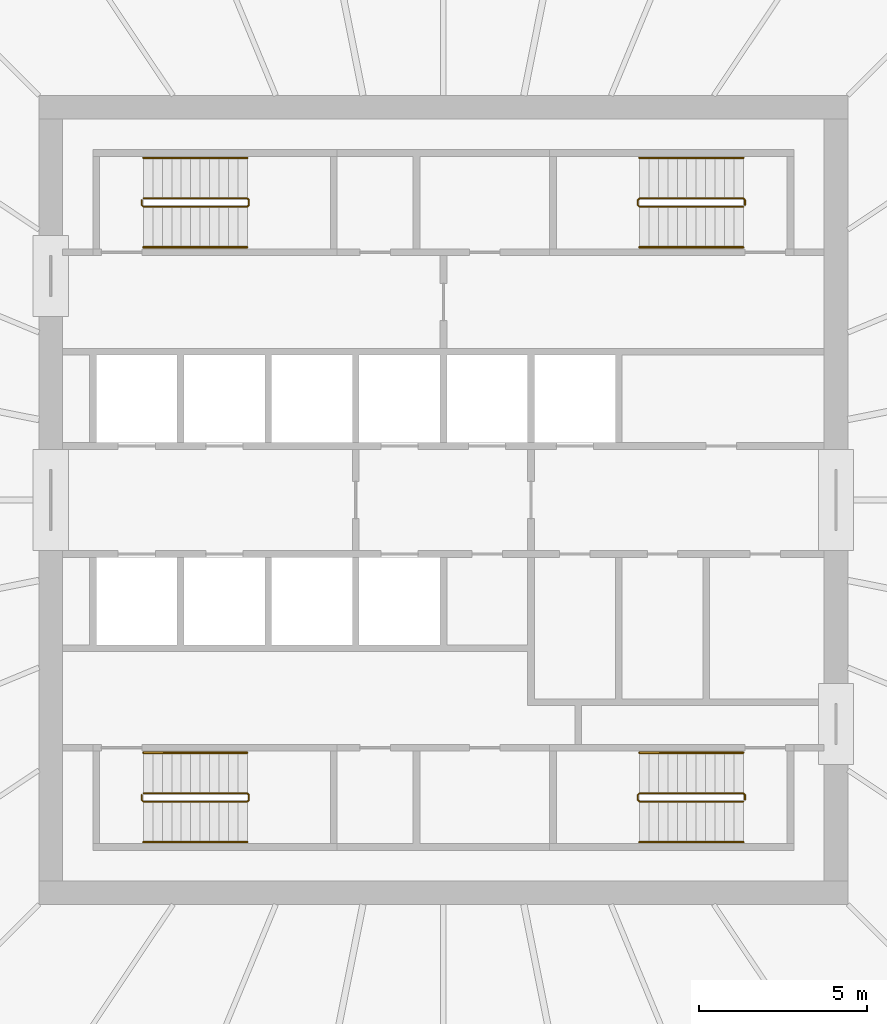
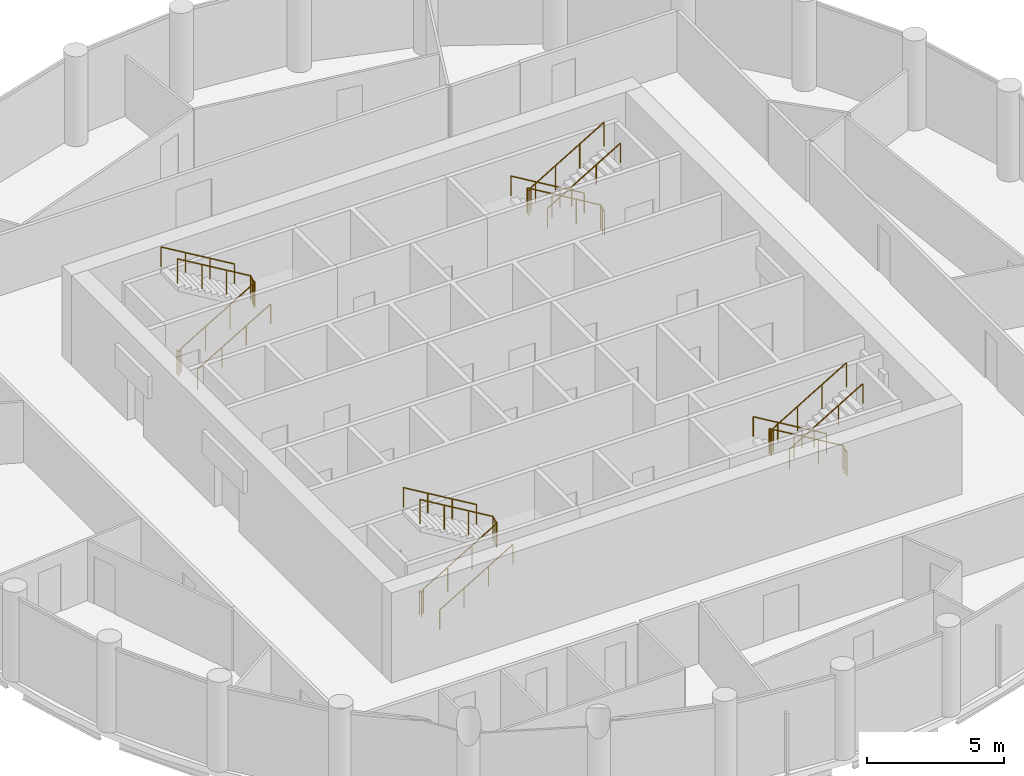
# One storey, part 8 of 8: 12 railings.
"""IFC4 building model written with IfcOpenShell, lengths in metres."""

import ifcopenshell
import ifcopenshell.guid

model = None  # the IFC model being written
_history = None  # IfcOwnerHistory: only IFC2X3 demands one
_inside = {}  # id of a spatial element -> (the spatial element, [elements in it])
_under = {}  # id of a project, library or spatial element -> (it, [spatial elements below it])
_declared = {}  # id of a project -> (the project, [libraries it declares])
_typed = {}  # id of a type object -> (the type object, [elements of that type])
_made_of = {}  # id of a material, layer set ... -> (it, [elements and type objects made of it])


def new_model(schema):
    """Start an empty IFC model of exactly this schema.

    Asked for "IFC4X3", IfcOpenShell would pick the latest addendum, in which some entities
    have other attributes; the version numbers below select the first issue.
    IFC2X3 requires an IfcOwnerHistory on every rooted entity: one is made here for all.
    """
    global model, _history
    if schema == "IFC4X3":
        model = ifcopenshell.file(schema_version=(4, 3, 0, 0))
    else:
        model = ifcopenshell.file(schema=schema)
    _inside.clear()
    _under.clear()
    _declared.clear()
    _typed.clear()
    _made_of.clear()
    _history = None
    if model.schema == "IFC2X3":
        org = make("IfcOrganization", Name="unknown")
        user = make(
            "IfcPersonAndOrganization",
            ThePerson=make("IfcPerson", FamilyName="unknown"),
            TheOrganization=org,
        )
        app = make(
            "IfcApplication",
            ApplicationDeveloper=org,
            Version="unknown",
            ApplicationFullName="unknown",
            ApplicationIdentifier="unknown",
        )
        _history = make(
            "IfcOwnerHistory",
            OwningUser=user,
            OwningApplication=app,
            ChangeAction="ADDED",
            CreationDate=0,
        )
    return model


def make(cls, **values):
    """One entity of the class cls with the attributes given. An attribute that is None is left unset."""
    return model.create_entity(
        cls, **{name: value for name, value in values.items() if value is not None}
    )


def rooted(cls, **values):
    """An entity with a GlobalId (a new one), such as an element, a storey or a relation."""
    return make(cls, GlobalId=ifcopenshell.guid.new(), OwnerHistory=_history, **values)


def si_unit(unit_type, name, prefix=None):
    """IfcSIUnit, for example si_unit("LENGTHUNIT", "METRE", prefix="MILLI")."""
    return make("IfcSIUnit", UnitType=unit_type, Prefix=prefix, Name=name)


def assignment(units):
    """IfcUnitAssignment: the units of a project."""
    return None if units is None else make("IfcUnitAssignment", Units=units)


def point(xyz):
    """IfcCartesianPoint."""
    return None if xyz is None else make("IfcCartesianPoint", Coordinates=xyz)


def direction(xyz):
    """IfcDirection."""
    return None if xyz is None else make("IfcDirection", DirectionRatios=xyz)


def frame(location, z_axis=None, x_axis=None):
    """IfcAxis2Placement3D, a coordinate frame: its origin and axes. An axis left out is left unset."""
    return make(
        "IfcAxis2Placement3D",
        Location=point(location),
        Axis=direction(z_axis),
        RefDirection=direction(x_axis),
    )


def frame_2d(location, x_axis=None):
    """IfcAxis2Placement2D, a coordinate frame in the plane: its origin and x axis."""
    return make(
        "IfcAxis2Placement2D", Location=point(location), RefDirection=direction(x_axis)
    )


def origin():
    """The frame at (0, 0, 0) with its axes left unset."""
    return frame((0.0, 0.0, 0.0))


def origin_2d():
    """The frame at (0, 0) in the plane with its x axis left unset."""
    return frame_2d((0.0, 0.0))


def place(relative_to, where):
    """IfcLocalPlacement: puts the frame where relative to a parent placement (None: the world)."""
    return make(
        "IfcLocalPlacement", PlacementRelTo=relative_to, RelativePlacement=where
    )


def context(
    kind, dimensions, precision=None, world=None, true_north=None, identifier=None
):
    """IfcGeometricRepresentationContext, for example the 3D "Model" context."""
    return make(
        "IfcGeometricRepresentationContext",
        ContextIdentifier=identifier,
        ContextType=kind,
        CoordinateSpaceDimension=dimensions,
        Precision=precision,
        WorldCoordinateSystem=world,
        TrueNorth=true_north,
    )


def subcontext(parent, identifier, kind, view, scale=None):
    """IfcGeometricRepresentationSubContext, for example "Body" below "Model"."""
    return make(
        "IfcGeometricRepresentationSubContext",
        ContextIdentifier=identifier,
        ContextType=kind,
        ParentContext=parent,
        TargetScale=scale,
        TargetView=view,
    )


def project(units=None, contexts=None):
    """IfcProject with its units and contexts."""
    return rooted(
        "IfcProject",
        Name="project",
        RepresentationContexts=contexts,
        UnitsInContext=assignment(units),
    )


def spatial(cls, under=None, at=None, **own):
    """A site, building, storey or space (cls), placed at a placement, below another one or the project."""
    s = rooted(cls, ObjectPlacement=at, **own)
    if under is not None:
        _under.setdefault(under.id(), (under, []))[1].append(s)
    return s


def profile(cls, at=None, kind="AREA", **sizes):
    """A parametric profile (cls). Its sizes go by their IFC names, for example OverallWidth=200.0."""
    return make(cls, ProfileType=kind, Position=at, **sizes)


def circle(**sizes):
    """IfcCircleProfileDef."""
    return profile("IfcCircleProfileDef", **sizes)


def extrude(swept, where, along, depth):
    """IfcExtrudedAreaSolid: the profile swept, set in the frame where, extruded along a direction by depth."""
    return make(
        "IfcExtrudedAreaSolid",
        SweptArea=swept,
        Position=where,
        ExtrudedDirection=direction(along),
        Depth=depth,
    )


def shape(context_of_items, identifier, shape_type, items):
    """IfcShapeRepresentation: the items that make up one representation, for example the "Body"."""
    return make(
        "IfcShapeRepresentation",
        ContextOfItems=context_of_items,
        RepresentationIdentifier=identifier,
        RepresentationType=shape_type,
        Items=items,
    )


def material(Name=None, Category=None):
    """IfcMaterial."""
    return make("IfcMaterial", Name=Name, Category=Category)


def made_of(thing, what):
    """Note that an element or type object is made of a material, layer set ...; save() writes the relation."""
    if what is not None:
        _made_of.setdefault(what.id(), (what, []))[1].append(thing)
    return thing


def type_object(cls, material=None, **own):
    """A type object (cls), such as IfcWallType, which elements share."""
    return made_of(rooted(cls, **own), material)


def element(
    cls,
    number,
    at=None,
    inside=None,
    cuts=None,
    type_object=None,
    material=None,
    context=None,
    identifier="Body",
    shape_type=None,
    held_by="IfcProductDefinitionShape",
    body=None,
    shapes=None,
    **own,
):
    """One element of the class cls, such as IfcWall. Its Tag is "e" and its number.

    at: its placement. inside: the storey or other place that contains it. cuts: it is an
    opening in that element (IfcRelVoidsElement). A single representation is given by context,
    identifier, shape_type and body (its items); several are given by shapes. held_by: the class
    of the entity that holds the representations. save() writes the other relations.
    """
    e = rooted(cls, Tag="e%d" % number, ObjectPlacement=at, **own)
    if body is not None:
        shapes = [shape(context, identifier, shape_type, body)]
    if shapes is not None:
        e.Representation = make(held_by, Representations=shapes)
    if inside is not None:
        _inside.setdefault(inside.id(), (inside, []))[1].append(e)
    if cuts is not None:
        rooted(
            "IfcRelVoidsElement", RelatingBuildingElement=cuts, RelatedOpeningElement=e
        )
    if type_object is not None:
        _typed.setdefault(type_object.id(), (type_object, []))[1].append(e)
    return made_of(e, material)


def aggregate(whole, parts):
    """IfcRelAggregates: a whole, such as a stair, and the parts it consists of."""
    return rooted("IfcRelAggregates", RelatingObject=whole, RelatedObjects=parts)


def save(model, path):
    """Write the relations noted so far, then the file.

    IfcRelAggregates (storeys below a building ...), IfcRelContainedInSpatialStructure (elements
    in a storey), IfcRelDefinesByType, IfcRelAssociatesMaterial and IfcRelDeclares: one each for
    every whole, place, type object, material and project.
    """
    for whole, parts in _under.values():
        aggregate(whole, parts)
    for where, things in _inside.values():
        rooted(
            "IfcRelContainedInSpatialStructure",
            RelatedElements=things,
            RelatingStructure=where,
        )
    for kind, things in _typed.values():
        rooted("IfcRelDefinesByType", RelatedObjects=things, RelatingType=kind)
    for what, things in _made_of.values():
        rooted("IfcRelAssociatesMaterial", RelatedObjects=things, RelatingMaterial=what)
    for by, libraries in _declared.values():
        rooted("IfcRelDeclares", RelatingContext=by, RelatedDefinitions=libraries)
    model.write(path)


model = new_model("IFC4")

# Units and contexts
model_context = context("Model", 3, precision=1e-05, world=origin(), true_north=direction((0.0, 1.0)))
body_context = subcontext(model_context, "Body", "Model", "MODEL_VIEW")
ifc_project = project(units=[si_unit("LENGTHUNIT", "METRE"), si_unit("AREAUNIT", "SQUARE_METRE"), si_unit("VOLUMEUNIT", "CUBIC_METRE"), si_unit("PLANEANGLEUNIT", "RADIAN"), si_unit("MASSUNIT", "GRAM", prefix="KILO")], contexts=[model_context])

# Site, building, storey
site_placement = place(None, origin())
site = spatial("IfcSite", under=ifc_project, at=site_placement, CompositionType="ELEMENT")
building_placement = place(site_placement, origin())
building = spatial("IfcBuilding", under=site, at=building_placement, Name="Corvane Civic Tower", CompositionType="ELEMENT")
storey_placement = place(building_placement, frame((0.0, 0.0, 303.0)))
storey = spatial("IfcBuildingStorey", under=building, at=storey_placement, Name="L72", CompositionType="ELEMENT", Elevation=303.0)

# Railings
ifc_material_1 = material(Name="Steel ASTM A572 Gr 50", Category="steel")
railing_type_1 = type_object("IfcRailingType", Name="ST-GUARD-1100", PredefinedType="GUARDRAIL", material=ifc_material_1)
railing_1_placement = place(storey_placement, frame((8.949951171875, 8.75, 0.0)))
element("IfcRailing", 1, at=railing_1_placement, inside=storey, type_object=railing_type_1, Name="L72 ST1 stair guard 1", PredefinedType="GUARDRAIL", context=body_context, shape_type="SweptSolid", body=[
    extrude(circle(Radius=0.02392578125, at=origin_2d()), frame((0.0, 0.0, 1.076171875), z_axis=(0.0, 1.0, 0.0), x_axis=(-1.0, 0.0, 0.0)), (0.0, 0.0, 1.0), 0.14990234375),
    extrude(circle(Radius=0.02392578125, at=origin_2d()), frame((0.0, 0.14990234375, 1.076171875), z_axis=(-0.27628659633, 0.27628659633, 0.920506074601), x_axis=(-0.707106781187, -0.707106781187, 0.0)), (0.0, 0.0, 1.0), 0.18115234375),
    extrude(circle(Radius=0.02392578125, at=origin_2d()), frame((-0.050048828125, 0.199951171875, 1.24267578125), z_axis=(-0.859290745958, 0.0, 0.51148745235), x_axis=(0.0, -1.0, 0.0)), (0.0, 0.0, 1.0), 3.584228515625),
    extrude(circle(Radius=0.02392578125, at=origin_2d()), frame((-3.1298828125, 0.199951171875, 3.076171875), z_axis=(-0.707106781187, -0.707106781187, 0.0), x_axis=(0.707106781187, -0.707106781187, 0.0)), (0.0, 0.0, 1.0), 0.07080078125),
    extrude(circle(Radius=0.02392578125, at=origin_2d()), frame((-3.179931640625, 0.14990234375, 3.076171875), z_axis=(0.0, -1.0, 0.0), x_axis=(1.0, 0.0, 0.0)), (0.0, 0.0, 1.0), 0.14990234375),
    extrude(circle(Radius=0.02392578125, at=origin_2d()), frame((-3.179931640625, 0.0, 3.076171875), z_axis=(0.27628659633, -0.27628659633, 0.920506074601), x_axis=(0.707106781187, 0.707106781187, 0.0)), (0.0, 0.0, 1.0), 0.18115234375),
    extrude(circle(Radius=0.02392578125, at=origin_2d()), frame((-3.1298828125, -0.050048828125, 3.24267578125), z_axis=(0.859290745958, 0.0, 0.51148745235), x_axis=(0.0, 1.0, 0.0)), (0.0, 0.0, 1.0), 3.584228515625),
    extrude(circle(Radius=0.02099609375, at=origin_2d()), origin(), (0.0, 0.0, 1.0), 1.052001953125),
    extrude(circle(Radius=0.02099609375, at=origin_2d()), frame((0.0, 0.14990234375, 0.0)), (0.0, 0.0, 1.0), 1.052001953125),
    extrude(circle(Radius=0.02099609375, at=origin_2d()), frame((-0.050048828125, 0.199951171875, 0.166748046875)), (0.0, 0.0, 1.0), 1.052001953125),
    extrude(circle(Radius=0.02099609375, at=origin_2d()), frame((-1.07666015625, 0.199951171875, 0.77783203125)), (0.0, 0.0, 1.0), 1.052001953125),
    extrude(circle(Radius=0.02099609375, at=origin_2d()), frame((-2.103271484375, 0.199951171875, 1.388916015625)), (0.0, 0.0, 1.0), 1.052001953125),
    extrude(circle(Radius=0.02099609375, at=origin_2d()), frame((-3.1298828125, 0.199951171875, 2.0)), (0.0, 0.0, 1.0), 1.052001953125),
    extrude(circle(Radius=0.02099609375, at=origin_2d()), frame((-3.179931640625, 0.14990234375, 2.0)), (0.0, 0.0, 1.0), 1.052001953125),
    extrude(circle(Radius=0.02099609375, at=origin_2d()), frame((-3.179931640625, 0.0, 2.0)), (0.0, 0.0, 1.0), 1.052001953125),
    extrude(circle(Radius=0.02099609375, at=origin_2d()), frame((-3.1298828125, -0.050048828125, 2.166748046875)), (0.0, 0.0, 1.0), 1.052001953125),
    extrude(circle(Radius=0.02099609375, at=origin_2d()), frame((-2.103271484375, -0.050048828125, 2.77783203125)), (0.0, 0.0, 1.0), 1.052001953125),
    extrude(circle(Radius=0.02099609375, at=origin_2d()), frame((-1.07666015625, -0.050048828125, 3.388916015625)), (0.0, 0.0, 1.0), 1.052001953125),
    extrude(circle(Radius=0.02099609375, at=origin_2d()), frame((-0.050048828125, -0.050048828125, 4.0)), (0.0, 0.0, 1.0), 1.052001953125),
])
railing_2_placement = place(storey_placement, frame((8.949951171875, -8.89990234375, 0.0)))
element("IfcRailing", 2, at=railing_2_placement, inside=storey, type_object=railing_type_1, Name="L72 ST2 stair guard 1", PredefinedType="GUARDRAIL", context=body_context, shape_type="SweptSolid", body=[
    extrude(circle(Radius=0.02392578125, at=origin_2d()), frame((0.0, 0.0, 1.076171875), z_axis=(0.0, 1.0, 0.0), x_axis=(-1.0, 0.0, 0.0)), (0.0, 0.0, 1.0), 0.14990234375),
    extrude(circle(Radius=0.02392578125, at=origin_2d()), frame((0.0, 0.14990234375, 1.076171875), z_axis=(-0.27628659633, 0.27628659633, 0.920506074601), x_axis=(-0.707106781187, -0.707106781187, 0.0)), (0.0, 0.0, 1.0), 0.18115234375),
    extrude(circle(Radius=0.02392578125, at=origin_2d()), frame((-0.050048828125, 0.199951171875, 1.24267578125), z_axis=(-0.859290745958, 0.0, 0.51148745235), x_axis=(0.0, -1.0, 0.0)), (0.0, 0.0, 1.0), 3.584228515625),
    extrude(circle(Radius=0.02392578125, at=origin_2d()), frame((-3.1298828125, 0.199951171875, 3.076171875), z_axis=(-0.707106781187, -0.707106781187, 0.0), x_axis=(0.707106781187, -0.707106781187, 0.0)), (0.0, 0.0, 1.0), 0.07080078125),
    extrude(circle(Radius=0.02392578125, at=origin_2d()), frame((-3.179931640625, 0.14990234375, 3.076171875), z_axis=(0.0, -1.0, 0.0), x_axis=(1.0, 0.0, 0.0)), (0.0, 0.0, 1.0), 0.14990234375),
    extrude(circle(Radius=0.02392578125, at=origin_2d()), frame((-3.179931640625, 0.0, 3.076171875), z_axis=(0.27628659633, -0.27628659633, 0.920506074601), x_axis=(0.707106781187, 0.707106781187, 0.0)), (0.0, 0.0, 1.0), 0.18115234375),
    extrude(circle(Radius=0.02392578125, at=origin_2d()), frame((-3.1298828125, -0.050048828125, 3.24267578125), z_axis=(0.859290745958, 0.0, 0.51148745235), x_axis=(0.0, 1.0, 0.0)), (0.0, 0.0, 1.0), 3.584228515625),
    extrude(circle(Radius=0.02099609375, at=origin_2d()), origin(), (0.0, 0.0, 1.0), 1.052001953125),
    extrude(circle(Radius=0.02099609375, at=origin_2d()), frame((0.0, 0.14990234375, 0.0)), (0.0, 0.0, 1.0), 1.052001953125),
    extrude(circle(Radius=0.02099609375, at=origin_2d()), frame((-0.050048828125, 0.199951171875, 0.166748046875)), (0.0, 0.0, 1.0), 1.052001953125),
    extrude(circle(Radius=0.02099609375, at=origin_2d()), frame((-1.07666015625, 0.199951171875, 0.77783203125)), (0.0, 0.0, 1.0), 1.052001953125),
    extrude(circle(Radius=0.02099609375, at=origin_2d()), frame((-2.103271484375, 0.199951171875, 1.388916015625)), (0.0, 0.0, 1.0), 1.052001953125),
    extrude(circle(Radius=0.02099609375, at=origin_2d()), frame((-3.1298828125, 0.199951171875, 2.0)), (0.0, 0.0, 1.0), 1.052001953125),
    extrude(circle(Radius=0.02099609375, at=origin_2d()), frame((-3.179931640625, 0.14990234375, 2.0)), (0.0, 0.0, 1.0), 1.052001953125),
    extrude(circle(Radius=0.02099609375, at=origin_2d()), frame((-3.179931640625, 0.0, 2.0)), (0.0, 0.0, 1.0), 1.052001953125),
    extrude(circle(Radius=0.02099609375, at=origin_2d()), frame((-3.1298828125, -0.050048828125, 2.166748046875)), (0.0, 0.0, 1.0), 1.052001953125),
    extrude(circle(Radius=0.02099609375, at=origin_2d()), frame((-2.103271484375, -0.050048828125, 2.77783203125)), (0.0, 0.0, 1.0), 1.052001953125),
    extrude(circle(Radius=0.02099609375, at=origin_2d()), frame((-1.07666015625, -0.050048828125, 3.388916015625)), (0.0, 0.0, 1.0), 1.052001953125),
    extrude(circle(Radius=0.02099609375, at=origin_2d()), frame((-0.050048828125, -0.050048828125, 4.0)), (0.0, 0.0, 1.0), 1.052001953125),
])
railing_3_placement = place(storey_placement, frame((-8.949951171875, -8.75, 0.0)))
element("IfcRailing", 3, at=railing_3_placement, inside=storey, type_object=railing_type_1, Name="L72 ST3 stair guard 1", PredefinedType="GUARDRAIL", context=body_context, shape_type="SweptSolid", body=[
    extrude(circle(Radius=0.02392578125, at=origin_2d()), frame((0.0, 0.0, 1.076171875), z_axis=(0.0, -1.0, 0.0), x_axis=(1.0, 0.0, 0.0)), (0.0, 0.0, 1.0), 0.14990234375),
    extrude(circle(Radius=0.02392578125, at=origin_2d()), frame((0.0, -0.14990234375, 1.076171875), z_axis=(0.27628659633, -0.27628659633, 0.920506074601), x_axis=(0.707106781187, 0.707106781187, 0.0)), (0.0, 0.0, 1.0), 0.18115234375),
    extrude(circle(Radius=0.02392578125, at=origin_2d()), frame((0.050048828125, -0.199951171875, 1.24267578125), z_axis=(0.859290745958, 0.0, 0.51148745235), x_axis=(0.0, 1.0, 0.0)), (0.0, 0.0, 1.0), 3.584228515625),
    extrude(circle(Radius=0.02392578125, at=origin_2d()), frame((3.1298828125, -0.199951171875, 3.076171875), z_axis=(0.707106781187, 0.707106781187, 0.0), x_axis=(-0.707106781187, 0.707106781187, 0.0)), (0.0, 0.0, 1.0), 0.07080078125),
    extrude(circle(Radius=0.02392578125, at=origin_2d()), frame((3.179931640625, -0.14990234375, 3.076171875), z_axis=(0.0, 1.0, 0.0), x_axis=(-1.0, 0.0, 0.0)), (0.0, 0.0, 1.0), 0.14990234375),
    extrude(circle(Radius=0.02392578125, at=origin_2d()), frame((3.179931640625, 0.0, 3.076171875), z_axis=(-0.27628659633, 0.27628659633, 0.920506074601), x_axis=(-0.707106781187, -0.707106781187, 0.0)), (0.0, 0.0, 1.0), 0.18115234375),
    extrude(circle(Radius=0.02392578125, at=origin_2d()), frame((3.1298828125, 0.050048828125, 3.24267578125), z_axis=(-0.859290745958, 0.0, 0.51148745235), x_axis=(0.0, -1.0, 0.0)), (0.0, 0.0, 1.0), 3.584228515625),
    extrude(circle(Radius=0.02099609375, at=origin_2d()), origin(), (0.0, 0.0, 1.0), 1.052001953125),
    extrude(circle(Radius=0.02099609375, at=origin_2d()), frame((0.0, -0.14990234375, 0.0)), (0.0, 0.0, 1.0), 1.052001953125),
    extrude(circle(Radius=0.02099609375, at=origin_2d()), frame((0.050048828125, -0.199951171875, 0.166748046875)), (0.0, 0.0, 1.0), 1.052001953125),
    extrude(circle(Radius=0.02099609375, at=origin_2d()), frame((1.07666015625, -0.199951171875, 0.77783203125)), (0.0, 0.0, 1.0), 1.052001953125),
    extrude(circle(Radius=0.02099609375, at=origin_2d()), frame((2.103271484375, -0.199951171875, 1.388916015625)), (0.0, 0.0, 1.0), 1.052001953125),
    extrude(circle(Radius=0.02099609375, at=origin_2d()), frame((3.1298828125, -0.199951171875, 2.0)), (0.0, 0.0, 1.0), 1.052001953125),
    extrude(circle(Radius=0.02099609375, at=origin_2d()), frame((3.179931640625, -0.14990234375, 2.0)), (0.0, 0.0, 1.0), 1.052001953125),
    extrude(circle(Radius=0.02099609375, at=origin_2d()), frame((3.179931640625, 0.0, 2.0)), (0.0, 0.0, 1.0), 1.052001953125),
    extrude(circle(Radius=0.02099609375, at=origin_2d()), frame((3.1298828125, 0.050048828125, 2.166748046875)), (0.0, 0.0, 1.0), 1.052001953125),
    extrude(circle(Radius=0.02099609375, at=origin_2d()), frame((2.103271484375, 0.050048828125, 2.77783203125)), (0.0, 0.0, 1.0), 1.052001953125),
    extrude(circle(Radius=0.02099609375, at=origin_2d()), frame((1.07666015625, 0.050048828125, 3.388916015625)), (0.0, 0.0, 1.0), 1.052001953125),
    extrude(circle(Radius=0.02099609375, at=origin_2d()), frame((0.050048828125, 0.050048828125, 4.0)), (0.0, 0.0, 1.0), 1.052001953125),
])
railing_4_placement = place(storey_placement, frame((-8.949951171875, 8.89990234375, 0.0)))
element("IfcRailing", 4, at=railing_4_placement, inside=storey, type_object=railing_type_1, Name="L72 ST4 stair guard 1", PredefinedType="GUARDRAIL", context=body_context, shape_type="SweptSolid", body=[
    extrude(circle(Radius=0.02392578125, at=origin_2d()), frame((0.0, 0.0, 1.076171875), z_axis=(0.0, -1.0, 0.0), x_axis=(1.0, 0.0, 0.0)), (0.0, 0.0, 1.0), 0.14990234375),
    extrude(circle(Radius=0.02392578125, at=origin_2d()), frame((0.0, -0.14990234375, 1.076171875), z_axis=(0.27628659633, -0.27628659633, 0.920506074601), x_axis=(0.707106781187, 0.707106781187, 0.0)), (0.0, 0.0, 1.0), 0.18115234375),
    extrude(circle(Radius=0.02392578125, at=origin_2d()), frame((0.050048828125, -0.199951171875, 1.24267578125), z_axis=(0.859290745958, 0.0, 0.51148745235), x_axis=(0.0, 1.0, 0.0)), (0.0, 0.0, 1.0), 3.584228515625),
    extrude(circle(Radius=0.02392578125, at=origin_2d()), frame((3.1298828125, -0.199951171875, 3.076171875), z_axis=(0.707106781187, 0.707106781187, 0.0), x_axis=(-0.707106781187, 0.707106781187, 0.0)), (0.0, 0.0, 1.0), 0.07080078125),
    extrude(circle(Radius=0.02392578125, at=origin_2d()), frame((3.179931640625, -0.14990234375, 3.076171875), z_axis=(0.0, 1.0, 0.0), x_axis=(-1.0, 0.0, 0.0)), (0.0, 0.0, 1.0), 0.14990234375),
    extrude(circle(Radius=0.02392578125, at=origin_2d()), frame((3.179931640625, 0.0, 3.076171875), z_axis=(-0.27628659633, 0.27628659633, 0.920506074601), x_axis=(-0.707106781187, -0.707106781187, 0.0)), (0.0, 0.0, 1.0), 0.18115234375),
    extrude(circle(Radius=0.02392578125, at=origin_2d()), frame((3.1298828125, 0.050048828125, 3.24267578125), z_axis=(-0.859290745958, 0.0, 0.51148745235), x_axis=(0.0, -1.0, 0.0)), (0.0, 0.0, 1.0), 3.584228515625),
    extrude(circle(Radius=0.02099609375, at=origin_2d()), origin(), (0.0, 0.0, 1.0), 1.052001953125),
    extrude(circle(Radius=0.02099609375, at=origin_2d()), frame((0.0, -0.14990234375, 0.0)), (0.0, 0.0, 1.0), 1.052001953125),
    extrude(circle(Radius=0.02099609375, at=origin_2d()), frame((0.050048828125, -0.199951171875, 0.166748046875)), (0.0, 0.0, 1.0), 1.052001953125),
    extrude(circle(Radius=0.02099609375, at=origin_2d()), frame((1.07666015625, -0.199951171875, 0.77783203125)), (0.0, 0.0, 1.0), 1.052001953125),
    extrude(circle(Radius=0.02099609375, at=origin_2d()), frame((2.103271484375, -0.199951171875, 1.388916015625)), (0.0, 0.0, 1.0), 1.052001953125),
    extrude(circle(Radius=0.02099609375, at=origin_2d()), frame((3.1298828125, -0.199951171875, 2.0)), (0.0, 0.0, 1.0), 1.052001953125),
    extrude(circle(Radius=0.02099609375, at=origin_2d()), frame((3.179931640625, -0.14990234375, 2.0)), (0.0, 0.0, 1.0), 1.052001953125),
    extrude(circle(Radius=0.02099609375, at=origin_2d()), frame((3.179931640625, 0.0, 2.0)), (0.0, 0.0, 1.0), 1.052001953125),
    extrude(circle(Radius=0.02099609375, at=origin_2d()), frame((3.1298828125, 0.050048828125, 2.166748046875)), (0.0, 0.0, 1.0), 1.052001953125),
    extrude(circle(Radius=0.02099609375, at=origin_2d()), frame((2.103271484375, 0.050048828125, 2.77783203125)), (0.0, 0.0, 1.0), 1.052001953125),
    extrude(circle(Radius=0.02099609375, at=origin_2d()), frame((1.07666015625, 0.050048828125, 3.388916015625)), (0.0, 0.0, 1.0), 1.052001953125),
    extrude(circle(Radius=0.02099609375, at=origin_2d()), frame((0.050048828125, 0.050048828125, 4.0)), (0.0, 0.0, 1.0), 1.052001953125),
])
ifc_material_2 = material(Name="Steel ASTM A572 Gr 50", Category="steel")
railing_type_2 = type_object("IfcRailingType", Name="ST-HANDRAIL-900", PredefinedType="HANDRAIL", material=ifc_material_2)
railing_5_placement = place(storey_placement, frame((8.89990234375, 10.14990234375, 0.166748046875)))
element("IfcRailing", 5, at=railing_5_placement, inside=storey, type_object=railing_type_2, Name="L72 ST1 stair handrail 1", PredefinedType="HANDRAIL", context=body_context, shape_type="SweptSolid", body=[
    extrude(circle(Radius=0.02392578125, at=origin_2d()), frame((0.0, 0.0, 0.8759765625), z_axis=(-0.859290745958, 0.0, 0.51148745235), x_axis=(0.0, -1.0, 0.0)), (0.0, 0.0, 1.0), 3.584228515625),
    extrude(circle(Radius=0.02099609375, at=origin_2d()), origin(), (0.0, 0.0, 1.0), 0.851806640625),
    extrude(circle(Radius=0.02099609375, at=origin_2d()), frame((-1.026611328125, 0.0, 0.611083984375)), (0.0, 0.0, 1.0), 0.851806640625),
    extrude(circle(Radius=0.02099609375, at=origin_2d()), frame((-2.05322265625, 0.0, 1.22216796875)), (0.0, 0.0, 1.0), 0.851806640625),
    extrude(circle(Radius=0.02099609375, at=origin_2d()), frame((-3.079833984375, 0.0, 1.833251953125)), (0.0, 0.0, 1.0), 0.851806640625),
])
railing_6_placement = place(storey_placement, frame((5.820068359375, 7.5, 2.166748046875)))
element("IfcRailing", 6, at=railing_6_placement, inside=storey, type_object=railing_type_2, Name="L72 ST1 stair handrail 2", PredefinedType="HANDRAIL", context=body_context, shape_type="SweptSolid", body=[
    extrude(circle(Radius=0.02392578125, at=origin_2d()), frame((0.0, 0.0, 0.8759765625), z_axis=(0.859290745958, 0.0, 0.51148745235), x_axis=(0.0, 1.0, 0.0)), (0.0, 0.0, 1.0), 3.584228515625),
    extrude(circle(Radius=0.02099609375, at=origin_2d()), origin(), (0.0, 0.0, 1.0), 0.851806640625),
    extrude(circle(Radius=0.02099609375, at=origin_2d()), frame((1.026611328125, 0.0, 0.611083984375)), (0.0, 0.0, 1.0), 0.851806640625),
    extrude(circle(Radius=0.02099609375, at=origin_2d()), frame((2.05322265625, 0.0, 1.22216796875)), (0.0, 0.0, 1.0), 0.851806640625),
    extrude(circle(Radius=0.02099609375, at=origin_2d()), frame((3.079833984375, 0.0, 1.833251953125)), (0.0, 0.0, 1.0), 0.851806640625),
])
railing_7_placement = place(storey_placement, frame((8.89990234375, -7.5, 0.166748046875)))
element("IfcRailing", 7, at=railing_7_placement, inside=storey, type_object=railing_type_2, Name="L72 ST2 stair handrail 1", PredefinedType="HANDRAIL", context=body_context, shape_type="SweptSolid", body=[
    extrude(circle(Radius=0.02392578125, at=origin_2d()), frame((0.0, 0.0, 0.8759765625), z_axis=(-0.859290745958, 0.0, 0.51148745235), x_axis=(0.0, -1.0, 0.0)), (0.0, 0.0, 1.0), 3.584228515625),
    extrude(circle(Radius=0.02099609375, at=origin_2d()), origin(), (0.0, 0.0, 1.0), 0.851806640625),
    extrude(circle(Radius=0.02099609375, at=origin_2d()), frame((-1.026611328125, 0.0, 0.611083984375)), (0.0, 0.0, 1.0), 0.851806640625),
    extrude(circle(Radius=0.02099609375, at=origin_2d()), frame((-2.05322265625, 0.0, 1.22216796875)), (0.0, 0.0, 1.0), 0.851806640625),
    extrude(circle(Radius=0.02099609375, at=origin_2d()), frame((-3.079833984375, 0.0, 1.833251953125)), (0.0, 0.0, 1.0), 0.851806640625),
])
for number, where, name in (
    (8, (5.820068359375, -10.14990234375, 2.166748046875), "L72 ST2 stair handrail 2"),
    (9, (-8.89990234375, -10.14990234375, 0.166748046875), "L72 ST3 stair handrail 1"),
):
    element("IfcRailing", number, at=place(storey_placement, frame(where)), inside=storey, type_object=railing_type_2, Name=name, PredefinedType="HANDRAIL", context=body_context, shape_type="SweptSolid", body=[
        extrude(circle(Radius=0.02392578125, at=origin_2d()), frame((0.0, 0.0, 0.8759765625), z_axis=(0.859290745958, 0.0, 0.51148745235), x_axis=(0.0, 1.0, 0.0)), (0.0, 0.0, 1.0), 3.584228515625),
        extrude(circle(Radius=0.02099609375, at=origin_2d()), origin(), (0.0, 0.0, 1.0), 0.851806640625),
        extrude(circle(Radius=0.02099609375, at=origin_2d()), frame((1.026611328125, 0.0, 0.611083984375)), (0.0, 0.0, 1.0), 0.851806640625),
        extrude(circle(Radius=0.02099609375, at=origin_2d()), frame((2.05322265625, 0.0, 1.22216796875)), (0.0, 0.0, 1.0), 0.851806640625),
        extrude(circle(Radius=0.02099609375, at=origin_2d()), frame((3.079833984375, 0.0, 1.833251953125)), (0.0, 0.0, 1.0), 0.851806640625),
    ])
railing_8_placement = place(storey_placement, frame((-5.820068359375, -7.5, 2.166748046875)))
element("IfcRailing", 10, at=railing_8_placement, inside=storey, type_object=railing_type_2, Name="L72 ST3 stair handrail 2", PredefinedType="HANDRAIL", context=body_context, shape_type="SweptSolid", body=[
    extrude(circle(Radius=0.02392578125, at=origin_2d()), frame((0.0, 0.0, 0.8759765625), z_axis=(-0.859290745958, 0.0, 0.51148745235), x_axis=(0.0, -1.0, 0.0)), (0.0, 0.0, 1.0), 3.584228515625),
    extrude(circle(Radius=0.02099609375, at=origin_2d()), origin(), (0.0, 0.0, 1.0), 0.851806640625),
    extrude(circle(Radius=0.02099609375, at=origin_2d()), frame((-1.026611328125, 0.0, 0.611083984375)), (0.0, 0.0, 1.0), 0.851806640625),
    extrude(circle(Radius=0.02099609375, at=origin_2d()), frame((-2.05322265625, 0.0, 1.22216796875)), (0.0, 0.0, 1.0), 0.851806640625),
    extrude(circle(Radius=0.02099609375, at=origin_2d()), frame((-3.079833984375, 0.0, 1.833251953125)), (0.0, 0.0, 1.0), 0.851806640625),
])
railing_9_placement = place(storey_placement, frame((-8.89990234375, 7.5, 0.166748046875)))
element("IfcRailing", 11, at=railing_9_placement, inside=storey, type_object=railing_type_2, Name="L72 ST4 stair handrail 1", PredefinedType="HANDRAIL", context=body_context, shape_type="SweptSolid", body=[
    extrude(circle(Radius=0.02392578125, at=origin_2d()), frame((0.0, 0.0, 0.8759765625), z_axis=(0.859290745958, 0.0, 0.51148745235), x_axis=(0.0, 1.0, 0.0)), (0.0, 0.0, 1.0), 3.584228515625),
    extrude(circle(Radius=0.02099609375, at=origin_2d()), origin(), (0.0, 0.0, 1.0), 0.851806640625),
    extrude(circle(Radius=0.02099609375, at=origin_2d()), frame((1.026611328125, 0.0, 0.611083984375)), (0.0, 0.0, 1.0), 0.851806640625),
    extrude(circle(Radius=0.02099609375, at=origin_2d()), frame((2.05322265625, 0.0, 1.22216796875)), (0.0, 0.0, 1.0), 0.851806640625),
    extrude(circle(Radius=0.02099609375, at=origin_2d()), frame((3.079833984375, 0.0, 1.833251953125)), (0.0, 0.0, 1.0), 0.851806640625),
])
railing_10_placement = place(storey_placement, frame((-5.820068359375, 10.14990234375, 2.166748046875)))
element("IfcRailing", 12, at=railing_10_placement, inside=storey, type_object=railing_type_2, Name="L72 ST4 stair handrail 2", PredefinedType="HANDRAIL", context=body_context, shape_type="SweptSolid", body=[
    extrude(circle(Radius=0.02392578125, at=origin_2d()), frame((0.0, 0.0, 0.8759765625), z_axis=(-0.859290745958, 0.0, 0.51148745235), x_axis=(0.0, -1.0, 0.0)), (0.0, 0.0, 1.0), 3.584228515625),
    extrude(circle(Radius=0.02099609375, at=origin_2d()), origin(), (0.0, 0.0, 1.0), 0.851806640625),
    extrude(circle(Radius=0.02099609375, at=origin_2d()), frame((-1.026611328125, 0.0, 0.611083984375)), (0.0, 0.0, 1.0), 0.851806640625),
    extrude(circle(Radius=0.02099609375, at=origin_2d()), frame((-2.05322265625, 0.0, 1.22216796875)), (0.0, 0.0, 1.0), 0.851806640625),
    extrude(circle(Radius=0.02099609375, at=origin_2d()), frame((-3.079833984375, 0.0, 1.833251953125)), (0.0, 0.0, 1.0), 0.851806640625),
])

save(model, "model.ifc")
